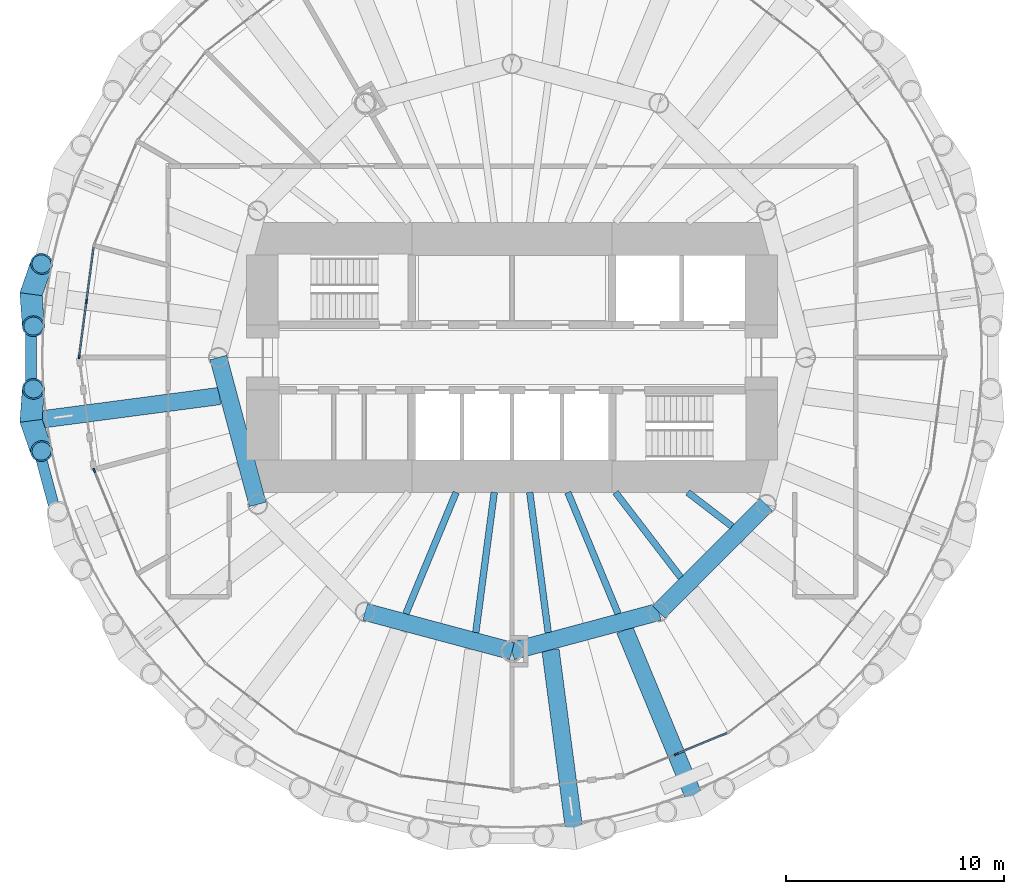
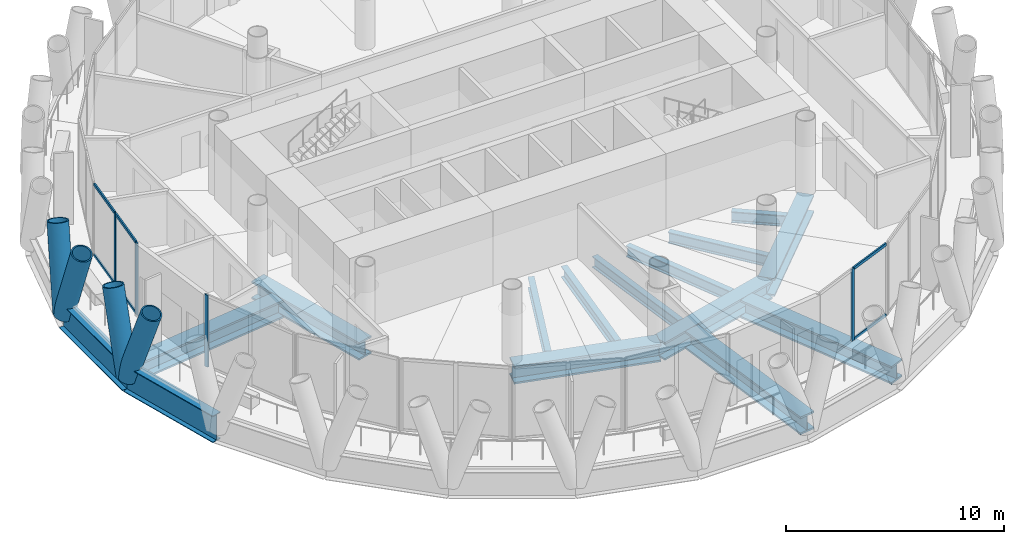
# One storey, part 3 of 16: 15 beams, 14 members, 3 elements without a shape of their own.
"""IFC4 building model written with IfcOpenShell, lengths in metres."""

from ifc_helpers import new_model, si_unit, direction, frame, origin, origin_2d, place, context, subcontext, project, spatial, rectangle, hollow_circle, i_section, extrude, material, material_profile, profile_set, type_object, element, aggregate, save


model = new_model("IFC4")

# Units and contexts
model_context = context("Model", 3, precision=1e-05, world=origin(), true_north=direction((0.0, 1.0)))
body_context = subcontext(model_context, "Body", "Model", "MODEL_VIEW")
ifc_project = project(units=[si_unit("LENGTHUNIT", "METRE"), si_unit("AREAUNIT", "SQUARE_METRE"), si_unit("VOLUMEUNIT", "CUBIC_METRE"), si_unit("PLANEANGLEUNIT", "RADIAN"), si_unit("MASSUNIT", "GRAM", prefix="KILO")], contexts=[model_context])

# Site, building, storey
site_placement = place(None, origin())
site = spatial("IfcSite", under=ifc_project, at=site_placement, CompositionType="ELEMENT")
building_placement = place(site_placement, origin())
building = spatial("IfcBuilding", under=site, at=building_placement, Name="Qaws Media Tower", CompositionType="ELEMENT")
storey_placement = place(building_placement, frame((0.0, 0.0, 252.800048828125)))
storey = spatial("IfcBuildingStorey", under=building, at=storey_placement, Name="L58", CompositionType="ELEMENT", Elevation=252.800048828125)

# Curtain wall, members
ifc_material_1 = material(Name="Aluminium and clear glass", Category="aluminium")
curtain_wall_type = type_object("IfcCurtainWallType", Name="Unitised curtain wall CW-C", PredefinedType="NOTDEFINED", material=ifc_material_1)
curtain_wall_1_placement = place(storey_placement, origin())
curtain_wall_1 = element("IfcCurtainWall", 1, at=curtain_wall_1_placement, inside=storey, type_object=curtain_wall_type, Name="CWC curtain wall L58-12", PredefinedType="NOTDEFINED")
ifc_material_2 = material(Name="Aluminium mullion", Category="aluminium")
ifc_material_profile_1 = material_profile(ifc_material_2, rectangle(XDim=0.080078125, YDim=0.199951171875, at=origin_2d()), Name="80x200")
ifc_profile_set_1 = profile_set([ifc_material_profile_1], Name="Aluminium mullion")
member_type_1 = type_object("IfcMemberType", Name="Curtain wall mullion 80x200", PredefinedType="MULLION", material=ifc_profile_set_1)
member_1_placement = place(storey_placement, frame((40.43896484375, 52.5751953125, 0.0), z_axis=(0.0, 0.0, 1.0), x_axis=(0.991444862798, -0.130526181405, 0.0)))
member_1 = element("IfcMember", 2, at=member_1_placement, type_object=member_type_1, Name="CWC mullion 2", PredefinedType="MULLION", context=body_context, shape_type="SweptSolid", body=[
    extrude(rectangle(XDim=0.080078125, YDim=0.199951171875, at=origin_2d()), origin(), (0.0, 0.0, 1.0), 4.0400390625),
])
member_2_placement = place(storey_placement, frame((40.105224609375, 50.03955078125, 0.0), z_axis=(0.0, 0.0, 1.0), x_axis=(0.991444862798, -0.130526181405, 0.0)))
member_2 = element("IfcMember", 3, at=member_2_placement, type_object=member_type_1, Name="CWC mullion 3", PredefinedType="MULLION", context=body_context, shape_type="SweptSolid", body=[
    extrude(rectangle(XDim=0.080078125, YDim=0.199951171875, at=origin_2d()), origin(), (0.0, 0.0, 1.0), 4.0400390625),
])

# Curtain wall, member
curtain_wall_2_placement = place(storey_placement, origin())
curtain_wall_2 = element("IfcCurtainWall", 4, at=curtain_wall_2_placement, inside=storey, type_object=curtain_wall_type, Name="CWC curtain wall L58-14", PredefinedType="NOTDEFINED")
member_3_placement = place(storey_placement, frame((40.79345703125, 44.8125, 0.0), z_axis=(0.0, 0.0, 1.0), x_axis=(0.923879560196, 0.382683365528, 0.0)))
member_3 = element("IfcMember", 5, at=member_3_placement, type_object=member_type_1, Name="CWC mullion 1", PredefinedType="MULLION", context=body_context, shape_type="SweptSolid", body=[
    extrude(rectangle(XDim=0.080078125, YDim=0.199951171875, at=origin_2d()), origin(), (0.0, 0.0, 1.0), 4.0400390625),
])
aggregate(curtain_wall_2, [member_3])

curtain_wall_3_placement = place(storey_placement, origin())
curtain_wall_3 = element("IfcCurtainWall", 6, at=curtain_wall_3_placement, inside=storey, type_object=curtain_wall_type, Name="CWC curtain wall L58-20", PredefinedType="NOTDEFINED")
member_4_placement = place(storey_placement, frame((67.55029296875, 31.77197265625, 0.0), z_axis=(0.0, 0.0, 1.0), x_axis=(-0.382683365528, 0.923879560196, 0.0)))
member_4 = element("IfcMember", 7, at=member_4_placement, type_object=member_type_1, Name="CWC mullion 2", PredefinedType="MULLION", context=body_context, shape_type="SweptSolid", body=[
    extrude(rectangle(XDim=0.080078125, YDim=0.199951171875, at=origin_2d()), origin(), (0.0, 0.0, 1.0), 4.0400390625),
])

# Member
ifc_material_3 = material(Name="Aluminium transom", Category="aluminium")
ifc_material_profile_2 = material_profile(ifc_material_3, rectangle(XDim=0.080078125, YDim=0.159912109375, at=origin_2d()), Name="80x160")
ifc_profile_set_2 = profile_set([ifc_material_profile_2], Name="Aluminium transom")
member_type_2 = type_object("IfcMemberType", Name="Curtain wall transom 80x160", PredefinedType="USERDEFINED", material=ifc_profile_set_2)
member_5_placement = place(storey_placement, frame((40.767578125, 55.0712890625, 0.0400390625), z_axis=(-0.130472356474, -0.991451947497, 0.0), x_axis=(0.991451947497, -0.130472356474, 0.0)))
member_5 = element("IfcMember", 8, at=member_5_placement, type_object=member_type_2, Name="CWC transom 1.1", ObjectType="TRANSOM", PredefinedType="USERDEFINED", context=body_context, shape_type="SweptSolid", body=[
    extrude(rectangle(XDim=0.080078125, YDim=0.159912109375, at=origin_2d()), origin(), (0.0, 0.0, 1.0), 2.4775390625),
])

member_6_placement = place(storey_placement, frame((40.767578125, 55.0712890625, 4.0), z_axis=(-0.130472356474, -0.991451947497, 0.0), x_axis=(0.991451947497, -0.130472356474, 0.0)))
member_6 = element("IfcMember", 9, at=member_6_placement, type_object=member_type_2, Name="CWC transom 1.2", ObjectType="TRANSOM", PredefinedType="USERDEFINED", context=body_context, shape_type="SweptSolid", body=[
    extrude(rectangle(XDim=0.080078125, YDim=0.159912109375, at=origin_2d()), origin(), (0.0, 0.0, 1.0), 2.4775390625),
])

member_7_placement = place(storey_placement, frame((40.433837890625, 52.53564453125, 0.0400390625), z_axis=(-0.130569221162, -0.991439195556, 0.0), x_axis=(0.991439195556, -0.130569221162, 0.0)))
member_7 = element("IfcMember", 10, at=member_7_placement, type_object=member_type_2, Name="CWC transom 2.1", ObjectType="TRANSOM", PredefinedType="USERDEFINED", context=body_context, shape_type="SweptSolid", body=[
    extrude(rectangle(XDim=0.080078125, YDim=0.159912109375, at=origin_2d()), origin(), (0.0, 0.0, 1.0), 2.4775390625),
])

member_8_placement = place(storey_placement, frame((40.433837890625, 52.53564453125, 4.0), z_axis=(-0.130569221162, -0.991439195556, 0.0), x_axis=(0.991439195556, -0.130569221162, 0.0)))
member_8 = element("IfcMember", 11, at=member_8_placement, type_object=member_type_2, Name="CWC transom 2.2", ObjectType="TRANSOM", PredefinedType="USERDEFINED", context=body_context, shape_type="SweptSolid", body=[
    extrude(rectangle(XDim=0.080078125, YDim=0.159912109375, at=origin_2d()), origin(), (0.0, 0.0, 1.0), 2.4775390625),
])

aggregate(curtain_wall_1, [member_1, member_2, member_5, member_6, member_7, member_8])

member_9_placement = place(storey_placement, frame((67.587158203125, 31.787353515625, 0.0400390625), z_axis=(0.923853474659, 0.382746335528, 0.0), x_axis=(-0.382746335528, 0.923853474659, 0.0)))
member_9 = element("IfcMember", 12, at=member_9_placement, type_object=member_type_2, Name="CWC transom 2.1", ObjectType="TRANSOM", PredefinedType="USERDEFINED", context=body_context, shape_type="SweptSolid", body=[
    extrude(rectangle(XDim=0.080078125, YDim=0.159912109375, at=origin_2d()), origin(), (0.0, 0.0, 1.0), 2.4775390625),
])

member_10_placement = place(storey_placement, frame((67.587158203125, 31.787353515625, 4.0), z_axis=(0.923853474659, 0.382746335528, 0.0), x_axis=(-0.382746335528, 0.923853474659, 0.0)))
member_10 = element("IfcMember", 13, at=member_10_placement, type_object=member_type_2, Name="CWC transom 2.2", ObjectType="TRANSOM", PredefinedType="USERDEFINED", context=body_context, shape_type="SweptSolid", body=[
    extrude(rectangle(XDim=0.080078125, YDim=0.159912109375, at=origin_2d()), origin(), (0.0, 0.0, 1.0), 2.4775390625),
])

aggregate(curtain_wall_3, [member_4, member_9, member_10])

# Members
ifc_material_4 = material(Name="Steel S460", Category="steel")
ifc_material_profile_3 = material_profile(ifc_material_4, hollow_circle(Radius=0.508056640625, WallThickness=0.070068359375, at=origin_2d()), Name="CHS 1016x70")
ifc_profile_set_3 = profile_set([ifc_material_profile_3], Name="Steel S460")
member_type_3 = type_object("IfcMemberType", Name="Diagrid member CHS 1016x70", PredefinedType="USERDEFINED", material=ifc_profile_set_3)
member_11_placement = place(storey_placement, frame((37.890869140625, 52.91064453125, -0.91015625), z_axis=(0.023916079898, -0.329943166477, 0.943697794857), x_axis=(0.997383236679, 0.072295775759, 0.0)))
element("IfcMember", 14, at=member_11_placement, inside=storey, type_object=member_type_3, Name="DG3 diagrid L58 A12", ObjectType="DIAGRID", PredefinedType="USERDEFINED", context=body_context, shape_type="SweptSolid", body=[
    extrude(hollow_circle(Radius=0.508056640625, WallThickness=0.070068359375, at=origin_2d()), origin(), (0.0, 0.0, 1.0), 4.45068359375),
])
for number, where, z_axis, x_axis, name in (
    (15, (37.890869140625, 52.91064453125, -0.91015625), (0.10849848488, 0.312550236019, 0.943684496399), (-0.944697921498, 0.327941819713, 0.0), "DG3 diagrid L58 B12"),
    (16, (37.890869140625, 47.08935546875, -0.91015625), (0.10849848488, -0.312550236019, 0.943684496399), (0.944697921498, 0.327941819713, 0.0), "DG3 diagrid L58 A13"),
):
    element("IfcMember", number, at=place(storey_placement, frame(where, z_axis=z_axis, x_axis=x_axis)), inside=storey, type_object=member_type_3, Name=name, ObjectType="DIAGRID", PredefinedType="USERDEFINED", context=body_context, shape_type="SweptSolid", body=[
        extrude(hollow_circle(Radius=0.508056640625, WallThickness=0.070068359375, at=origin_2d()), origin(), (0.0, 0.0, 1.0), 4.450927734375),
    ])
member_12_placement = place(storey_placement, frame((37.890869140625, 47.08935546875, -0.91015625), z_axis=(0.023916079898, 0.329943166477, 0.943697794857), x_axis=(-0.997383236679, 0.072295775759, 0.0)))
element("IfcMember", 17, at=member_12_placement, inside=storey, type_object=member_type_3, Name="DG3 diagrid L58 B13", ObjectType="DIAGRID", PredefinedType="USERDEFINED", context=body_context, shape_type="SweptSolid", body=[
    extrude(hollow_circle(Radius=0.508056640625, WallThickness=0.070068359375, at=origin_2d()), origin(), (0.0, 0.0, 1.0), 4.45068359375),
])

# Beams
ifc_material_5 = material(Name="Steel S460", Category="steel")
ifc_material_profile_4 = material_profile(ifc_material_5, i_section(OverallWidth=0.5, OverallDepth=1.5, WebThickness=0.02001953125, FlangeThickness=0.0400390625, at=origin_2d()), Name="PG 1500x500")
ifc_profile_set_4 = profile_set([ifc_material_profile_4], Name="Steel S460")
beam_type_1 = type_object("IfcBeamType", Name="Edge ring beam PG 1500x500", PredefinedType="BEAM", material=ifc_profile_set_4)
beam_1_placement = place(storey_placement, frame((37.890869140625, 52.91064453125, -0.91015625), z_axis=(0.0, -1.0, 0.0), x_axis=(1.0, 0.0, 0.0)))
element("IfcBeam", 18, at=beam_1_placement, inside=storey, type_object=beam_type_1, Name="RB4 edge ring beam L58-12", PredefinedType="BEAM", context=body_context, shape_type="SweptSolid", body=[
    extrude(i_section(OverallWidth=0.5, OverallDepth=1.5, WebThickness=0.02001953125, FlangeThickness=0.0400390625, at=origin_2d()), origin(), (0.0, 0.0, 1.0), 5.8212890625),
])
beam_2_placement = place(storey_placement, frame((37.890869140625, 47.08935546875, -0.91015625), z_axis=(0.258792682766, -0.96593288967, 0.0), x_axis=(0.96593288967, 0.258792682766, 0.0)))
element("IfcBeam", 19, at=beam_2_placement, inside=storey, type_object=beam_type_1, Name="RB4 edge ring beam L58-13", PredefinedType="BEAM", context=body_context, shape_type="SweptSolid", body=[
    extrude(i_section(OverallWidth=0.5, OverallDepth=1.5, WebThickness=0.02001953125, FlangeThickness=0.0400390625, at=origin_2d()), origin(), (0.0, 0.0, 1.0), 5.821533203125),
])
ifc_material_6 = material(Name="Steel S460", Category="steel")
ifc_material_profile_5 = material_profile(ifc_material_6, i_section(OverallWidth=0.800048828125, OverallDepth=1.0, WebThickness=0.0400390625, FlangeThickness=0.10009765625, at=origin_2d()), Name="PG 1000x800")
ifc_profile_set_5 = profile_set([ifc_material_profile_5], Name="Steel S460")
beam_type_2 = type_object("IfcBeamType", Name="Inner ring girder PG 1000x800", PredefinedType="BEAM", material=ifc_profile_set_5)
for number, where, z_axis, x_axis, name in (
    (20, (46.5, 50.0, -0.66015625), (0.258810593767, -0.965928090778, 0.0), (0.965928090778, 0.258810593767, 0.0), "B3 inner ring beam L58 I07-I08"),
    (21, (53.25, 38.30859375, -0.66015625), (0.965928090778, -0.258810593767, 0.0), (0.258810593767, 0.965928090778, 0.0), "B3 inner ring beam L58 I09-I10"),
    (22, (60.0, 36.5, -0.66015625), (0.965928090778, 0.258810593767, 0.0), (-0.258810593767, 0.965928090778, 0.0), "B3 inner ring beam L58 I10-I11"),
):
    element("IfcBeam", number, at=place(storey_placement, frame(where, z_axis=z_axis, x_axis=x_axis)), inside=storey, type_object=beam_type_2, Name=name, PredefinedType="BEAM", context=body_context, shape_type="SweptSolid", body=[
        extrude(i_section(OverallWidth=0.800048828125, OverallDepth=1.0, WebThickness=0.0400390625, FlangeThickness=0.10009765625, at=origin_2d()), origin(), (0.0, 0.0, 1.0), 6.988037109375),
    ])
beam_3_placement = place(storey_placement, frame((66.75, 38.30859375, -0.66015625), z_axis=(0.707106781187, 0.707106781187, 0.0), x_axis=(-0.707106781187, 0.707106781187, 0.0)))
element("IfcBeam", 23, at=beam_3_placement, inside=storey, type_object=beam_type_2, Name="B3 inner ring beam L58 I11-I12", PredefinedType="BEAM", context=body_context, shape_type="SweptSolid", body=[
    extrude(i_section(OverallWidth=0.800048828125, OverallDepth=1.0, WebThickness=0.0400390625, FlangeThickness=0.10009765625, at=origin_2d()), origin(), (0.0, 0.0, 1.0), 6.98828125),
])
ifc_material_7 = material(Name="Steel S355", Category="steel")
ifc_material_profile_6 = material_profile(ifc_material_7, i_section(OverallWidth=0.304931640625, OverallDepth=0.6201171875, WebThickness=0.02099609375, FlangeThickness=0.0400390625, FilletRadius=0.027099609375, at=origin_2d()), Name="HE 600 M")
ifc_profile_set_6 = profile_set([ifc_material_profile_6], Name="Steel S355")
beam_type_3 = type_object("IfcBeamType", Name="Radial beam HE 600 M, core side", PredefinedType="BEAM", material=ifc_profile_set_6)
beam_4_placement = place(storey_placement, frame((57.431884765625, 43.800048828125, -0.469970703125), z_axis=(-0.38269102823, -0.923876386165, 0.0), x_axis=(0.923876386165, -0.38269102823, 0.0)))
element("IfcBeam", 24, at=beam_4_placement, inside=storey, type_object=beam_type_3, Name="B2 radial beam L58 17", PredefinedType="BEAM", context=body_context, shape_type="SweptSolid", body=[
    extrude(i_section(OverallWidth=0.304931640625, OverallDepth=0.6201171875, WebThickness=0.02099609375, FlangeThickness=0.0400390625, FilletRadius=0.027099609375, at=origin_2d()), origin(), (0.0, 0.0, 1.0), 6.038330078125),
])
for number, where, z_axis, x_axis, name in (
    (25, (59.183837890625, 43.800048828125, -0.469970703125), (-0.130536183005, -0.991443546011, 0.0), (0.991443546011, -0.130536183005, 0.0), "B2 radial beam L58 18"),
    (26, (60.816162109375, 43.800048828125, -0.469970703125), (0.130536183005, -0.991443546011, 0.0), (0.991443546011, 0.130536183005, 0.0), "B2 radial beam L58 19"),
):
    element("IfcBeam", number, at=place(storey_placement, frame(where, z_axis=z_axis, x_axis=x_axis)), inside=storey, type_object=beam_type_3, Name=name, PredefinedType="BEAM", context=body_context, shape_type="SweptSolid", body=[
        extrude(i_section(OverallWidth=0.304931640625, OverallDepth=0.6201171875, WebThickness=0.02099609375, FlangeThickness=0.0400390625, FilletRadius=0.027099609375, at=origin_2d()), origin(), (0.0, 0.0, 1.0), 6.49560546875),
    ])
beam_5_placement = place(storey_placement, frame((62.568115234375, 43.800048828125, -0.469970703125), z_axis=(0.38269102823, -0.923876386165, 0.0), x_axis=(0.923876386165, 0.38269102823, 0.0)))
element("IfcBeam", 27, at=beam_5_placement, inside=storey, type_object=beam_type_3, Name="B2 radial beam L58 20", PredefinedType="BEAM", context=body_context, shape_type="SweptSolid", body=[
    extrude(i_section(OverallWidth=0.304931640625, OverallDepth=0.6201171875, WebThickness=0.02099609375, FlangeThickness=0.0400390625, FilletRadius=0.027099609375, at=origin_2d()), origin(), (0.0, 0.0, 1.0), 6.038330078125),
])
beam_6_placement = place(storey_placement, frame((64.75732421875, 43.800048828125, -0.469970703125), z_axis=(0.60878257667, -0.793337112672, 0.0), x_axis=(0.793337112672, 0.60878257667, 0.0)))
element("IfcBeam", 28, at=beam_6_placement, inside=storey, type_object=beam_type_3, Name="B2 radial beam L58 21", PredefinedType="BEAM", context=body_context, shape_type="SweptSolid", body=[
    extrude(i_section(OverallWidth=0.304931640625, OverallDepth=0.6201171875, WebThickness=0.02099609375, FlangeThickness=0.0400390625, FilletRadius=0.027099609375, at=origin_2d()), origin(), (0.0, 0.0, 1.0), 4.934326171875),
])
beam_7_placement = place(storey_placement, frame((68.080078125, 43.800048828125, -0.469970703125), z_axis=(0.793313603331, -0.608813211725, 0.0), x_axis=(0.608813211725, 0.793313603331, 0.0)))
element("IfcBeam", 29, at=beam_7_placement, inside=storey, type_object=beam_type_3, Name="B2 radial beam L58 22", PredefinedType="BEAM", context=body_context, shape_type="SweptSolid", body=[
    extrude(i_section(OverallWidth=0.304931640625, OverallDepth=0.6201171875, WebThickness=0.02099609375, FlangeThickness=0.0400390625, FilletRadius=0.027099609375, at=origin_2d()), origin(), (0.0, 0.0, 1.0), 2.564453125),
])
ifc_material_8 = material(Name="Steel S460", Category="steel")
ifc_material_profile_7 = material_profile(ifc_material_8, i_section(OverallWidth=0.800048828125, OverallDepth=1.0, WebThickness=0.0400390625, FlangeThickness=0.10009765625, at=origin_2d()), Name="PG 1000x800")
ifc_profile_set_7 = profile_set([ifc_material_profile_7], Name="Steel S460")
beam_type_4 = type_object("IfcBeamType", Name="Radial girder PG 1000x800", PredefinedType="BEAM", material=ifc_profile_set_7)
for number, where, z_axis, x_axis, name in (
    (30, (46.56005859375, 48.230712890625, -0.66015625), (-0.991444314093, -0.130530349162, 0.0), (0.130530349162, -0.991444314093, 0.0), "B1 radial beam L58 13"),
    (31, (61.769287109375, 36.56005859375, -0.66015625), (0.130530349162, -0.991444314093, 0.0), (0.991444314093, 0.130530349162, 0.0), "B1 radial beam L58 19"),
    (32, (65.187744140625, 37.475830078125, -0.66015625), (0.382685516114, -0.923878669392, 0.0), (0.923878669392, 0.382685516114, 0.0), "B1 radial beam L58 20"),
):
    element("IfcBeam", number, at=place(storey_placement, frame(where, z_axis=z_axis, x_axis=x_axis)), inside=storey, type_object=beam_type_4, Name=name, PredefinedType="BEAM", context=body_context, shape_type="SweptSolid", body=[
        extrude(i_section(OverallWidth=0.800048828125, OverallDepth=1.0, WebThickness=0.0400390625, FlangeThickness=0.10009765625, at=origin_2d()), origin(), (0.0, 0.0, 1.0), 8.743896484375),
    ])

save(model, "model.ifc")
